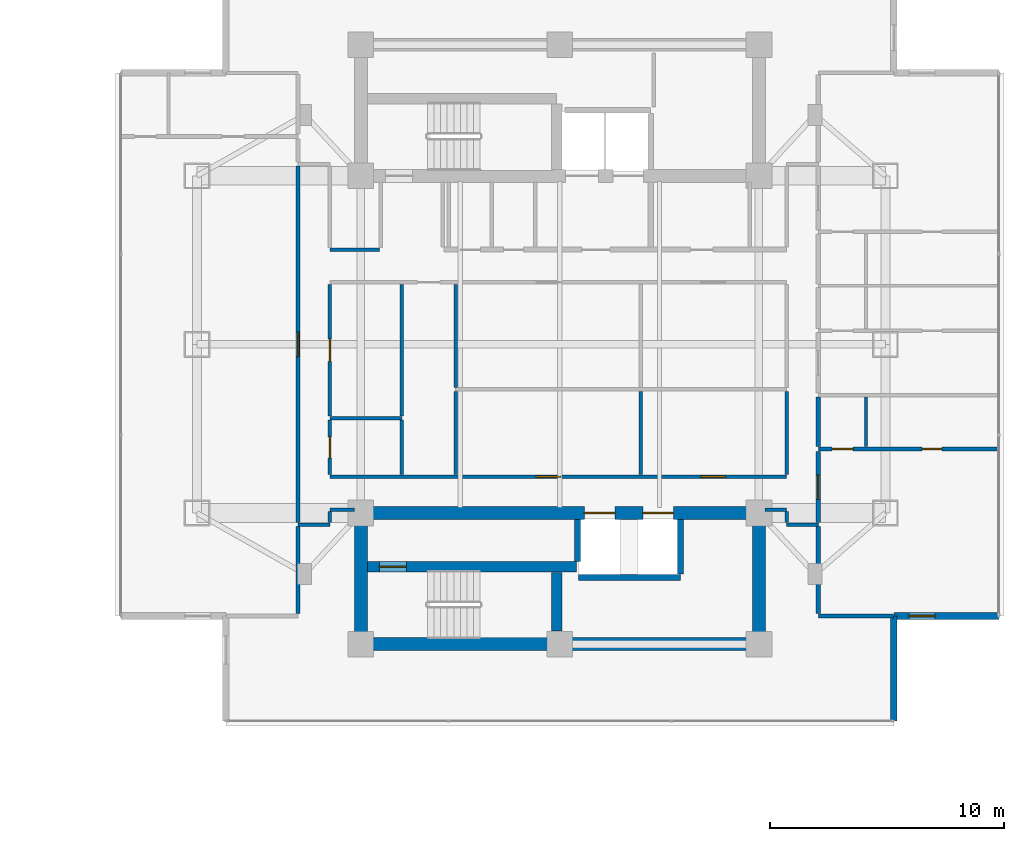
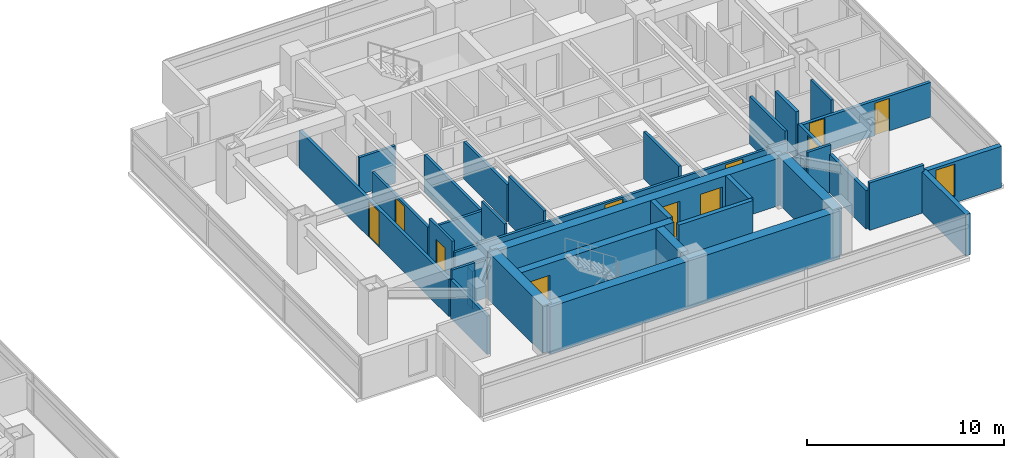
# One storey, part 17 of 24: 36 walls, 11 doors, 1 window, 12 openings.
"""IFC4 building model written with IfcOpenShell, lengths in metres."""

from ifc_helpers import new_model, si_unit, direction, frame, frame_2d, origin, place, context, subcontext, project, spatial, rectangle, extrude, material, layer, layer_set, type_object, element, fill, save


model = new_model("IFC4")

# Units and contexts
model_context = context("Model", 3, precision=1e-05, world=origin(), true_north=direction((0.0, 1.0)))
body_context = subcontext(model_context, "Body", "Model", "MODEL_VIEW")
ifc_project = project(units=[si_unit("LENGTHUNIT", "METRE"), si_unit("AREAUNIT", "SQUARE_METRE"), si_unit("VOLUMEUNIT", "CUBIC_METRE"), si_unit("PLANEANGLEUNIT", "RADIAN"), si_unit("MASSUNIT", "GRAM", prefix="KILO")], contexts=[model_context])

# Site, building, storey
site_placement = place(None, origin())
site = spatial("IfcSite", under=ifc_project, at=site_placement, CompositionType="ELEMENT")
building_placement = place(site_placement, origin())
building = spatial("IfcBuilding", under=site, at=building_placement, Name="Mirazonda Arch Towers", CompositionType="ELEMENT")
storey_placement = place(building_placement, frame((0.0, 0.0, 144.5)))
storey = spatial("IfcBuildingStorey", under=building, at=storey_placement, Name="L41", CompositionType="ELEMENT", Elevation=144.5)

# Wall, opening, door
ifc_material_1 = material(Name="Concrete C50/60", Category="concrete")
ifc_layer_1 = layer(ifc_material_1, 0.449951171875, Name="WALL-CORE-450")
ifc_layer_set_1 = layer_set([ifc_layer_1], Name="Concrete C50/60")
wall_type_1 = type_object("IfcWallType", Name="WALL-CORE-450", PredefinedType="SHEAR", material=ifc_layer_set_1)
wall_1_placement = place(storey_placement, frame((68.27001953125, 18.5, 0.0), z_axis=(0.0, 0.0, 1.0), x_axis=(1.0, 0.0, 0.0)))
wall_1 = element("IfcWall", 1, at=wall_1_placement, inside=storey, type_object=wall_type_1, Name="L41 Stair Core Shear Wall 014", PredefinedType="SHEAR", context=body_context, shape_type="SweptSolid", body=[
    extrude(rectangle(XDim=8.949951171875, YDim=0.449951171875, at=frame_2d((4.47509765625, 0.0))), origin(), (0.0, 0.0, 1.0), 2.93994140625),
])
opening_1_placement = place(wall_1_placement, frame((0.52001953125, 0.0, 0.0)))
opening_1 = element("IfcOpeningElement", 2, at=opening_1_placement, cuts=wall_1, Name="Opening DR-135", PredefinedType="OPENING", context=body_context, shape_type="SweptSolid", body=[
    extrude(rectangle(XDim=1.14990234375, YDim=2.199951171875, at=frame_2d((0.574951171875, 1.10009765625))), frame((0.0, 0.23486328125, 0.0), z_axis=(0.0, -1.0, 0.0), x_axis=(1.0, 0.0, 0.0)), (0.0, 0.0, 1.0), 0.469970703125),
])
ifc_material_2 = material(Name="Architectural Brushed Steel S355", Category="steel")
door_type_1 = type_object("IfcDoorType", Name="DOOR-STAIR-FD90-1150", OperationType="NOTDEFINED", PredefinedType="DOOR", material=ifc_material_2)
door_1_placement = place(opening_1_placement, origin())
door_1 = element("IfcDoor", 3, at=door_1_placement, inside=storey, type_object=door_type_1, Name="L41 East Protected Stair South Door", OperationType="SINGLE_SWING_RIGHT", OverallHeight=2.199951171875, OverallWidth=1.14990234375, PredefinedType="DOOR", context=body_context, shape_type="SweptSolid", body=[
    extrude(rectangle(XDim=1.14990234375, YDim=2.199951171875, at=frame_2d((0.574951171875, 1.10009765625))), frame((0.0, 0.02490234375, 0.0), z_axis=(0.0, -1.0, 0.0), x_axis=(1.0, 0.0, 0.0)), (0.0, 0.0, 1.0), 0.050048828125),
])
fill(opening_1, door_1)

# Walls
wall_2_placement = place(storey_placement, frame((76.360107421875, 15.764892578125, 0.0), z_axis=(0.0, 0.0, 1.0), x_axis=(0.0, 1.0, 0.0)))
element("IfcWall", 4, at=wall_2_placement, inside=storey, type_object=wall_type_1, Name="L41 Stair Core Shear Wall 141", PredefinedType="SHEAR", context=body_context, shape_type="SweptSolid", body=[
    extrude(rectangle(XDim=2.5, YDim=0.449951171875, at=frame_2d((1.25, 0.0))), origin(), (0.0, 0.0, 1.0), 2.93994140625),
])
ifc_layer_2 = layer(ifc_material_1, 0.550048828125, Name="WALL-CORE-550")
ifc_layer_set_2 = layer_set([ifc_layer_2], Name="Concrete C50/60")
wall_type_2 = type_object("IfcWallType", Name="WALL-CORE-550", PredefinedType="SHEAR", material=ifc_layer_set_2)
wall_3_placement = place(storey_placement, frame((68.0, 15.199951171875, 0.0), z_axis=(0.0, 0.0, 1.0), x_axis=(1.0, 0.0, 0.0)))
element("IfcWall", 5, at=wall_3_placement, inside=storey, type_object=wall_type_2, Name="L41 T2S-S Core Shear Wall", PredefinedType="SHEAR", context=body_context, shape_type="SweptSolid", body=[
    extrude(rectangle(XDim=17.0, YDim=0.550048828125, at=frame_2d((8.5, 0.0))), origin(), (0.0, 0.0, 1.0), 2.93994140625),
])
for number, where, z_axis, x_axis, name in (
    (6, (68.0, 15.199951171875, 0.0), (0.0, 0.0, 1.0), (0.0, 1.0, 0.0), "L41 T2S-W Core Shear Wall"),
    (7, (85.0, 15.199951171875, 0.0), (0.0, 0.0, 1.0), (0.0, 1.0, 0.0), "L41 T2S-E Core Shear Wall"),
):
    element("IfcWall", number, at=place(storey_placement, frame(where, z_axis=z_axis, x_axis=x_axis)), inside=storey, type_object=wall_type_2, Name=name, PredefinedType="SHEAR", context=body_context, shape_type="SweptSolid", body=[
        extrude(rectangle(XDim=5.60009765625, YDim=0.550048828125, at=frame_2d((2.800048828125, 0.0))), origin(), (0.0, 0.0, 1.0), 2.93994140625),
    ])

# Wall, openings, doors
wall_4_placement = place(storey_placement, frame((68.0, 20.800048828125, 0.0), z_axis=(0.0, 0.0, 1.0), x_axis=(1.0, 0.0, 0.0)))
wall_4 = element("IfcWall", 8, at=wall_4_placement, inside=storey, type_object=wall_type_2, Name="L41 T2S-N Core Shear Wall", PredefinedType="SHEAR", context=body_context, shape_type="SweptSolid", body=[
    extrude(rectangle(XDim=17.0, YDim=0.550048828125, at=frame_2d((8.5, 0.0))), origin(), (0.0, 0.0, 1.0), 2.93994140625),
])
opening_2_placement = place(wall_4_placement, frame((9.550048828125, 0.0, 0.0)))
opening_2 = element("IfcOpeningElement", 9, at=opening_2_placement, cuts=wall_4, Name="Opening LD-111", PredefinedType="OPENING", context=body_context, shape_type="SweptSolid", body=[
    extrude(rectangle(XDim=1.300048828125, YDim=2.300048828125, at=frame_2d((0.64990234375, 1.14990234375))), frame((0.0, 0.284912109375, 0.0), z_axis=(0.0, -1.0, 0.0), x_axis=(1.0, 0.0, 0.0)), (0.0, 0.0, 1.0), 0.570068359375),
])
opening_3_placement = place(wall_4_placement, frame((12.050048828125, 0.0, 0.0)))
opening_3 = element("IfcOpeningElement", 10, at=opening_3_placement, cuts=wall_4, Name="Opening LD-111", PredefinedType="OPENING", context=body_context, shape_type="SweptSolid", body=[
    extrude(rectangle(XDim=1.300048828125, YDim=2.300048828125, at=frame_2d((0.64990234375, 1.14990234375))), frame((0.0, 0.284912109375, 0.0), z_axis=(0.0, -1.0, 0.0), x_axis=(1.0, 0.0, 0.0)), (0.0, 0.0, 1.0), 0.570068359375),
])
door_type_2 = type_object("IfcDoorType", Name="DOOR-LIFT-LAND-1300", OperationType="NOTDEFINED", PredefinedType="DOOR", material=ifc_material_2)
door_2_placement = place(opening_2_placement, origin())
door_2 = element("IfcDoor", 11, at=door_2_placement, inside=storey, type_object=door_type_2, Name="L41 Lift Landing Sliding Door PL-T2H1", OperationType="DOUBLE_DOOR_SLIDING", OverallHeight=2.300048828125, OverallWidth=1.300048828125, PredefinedType="DOOR", context=body_context, shape_type="SweptSolid", body=[
    extrude(rectangle(XDim=1.300048828125, YDim=2.300048828125, at=frame_2d((0.64990234375, 1.14990234375))), frame((0.0, 0.02490234375, 0.0), z_axis=(0.0, -1.0, 0.0), x_axis=(1.0, 0.0, 0.0)), (0.0, 0.0, 1.0), 0.050048828125),
])
fill(opening_2, door_2)
door_3_placement = place(opening_3_placement, origin())
door_3 = element("IfcDoor", 12, at=door_3_placement, inside=storey, type_object=door_type_2, Name="L41 Lift Landing Sliding Door PL-T2H2", OperationType="DOUBLE_DOOR_SLIDING", OverallHeight=2.300048828125, OverallWidth=1.300048828125, PredefinedType="DOOR", context=body_context, shape_type="SweptSolid", body=[
    extrude(rectangle(XDim=1.300048828125, YDim=2.300048828125, at=frame_2d((0.64990234375, 1.14990234375))), frame((0.0, 0.02490234375, 0.0), z_axis=(0.0, -1.0, 0.0), x_axis=(1.0, 0.0, 0.0)), (0.0, 0.0, 1.0), 0.050048828125),
])
fill(opening_3, door_3)

# Wall, opening, window
ifc_material_3 = material(Name="Precast Concrete C40/50", Category="concrete")
ifc_layer_3 = layer(ifc_material_3, 0.280029296875, Name="WALL-EXT-WALL-280")
ifc_layer_set_3 = layer_set([ifc_layer_3], Name="Precast Concrete C40/50")
wall_type_3 = type_object("IfcWallType", Name="WALL-EXT-WALL-280", PredefinedType="SOLIDWALL", material=ifc_layer_set_3)
wall_5_placement = place(storey_placement, frame((90.762451171875, 16.401123046875, 0.0), z_axis=(0.0, 0.0, 1.0), x_axis=(1.0, 0.0, 0.0)))
wall_5 = element("IfcWall", 13, at=wall_5_placement, inside=storey, type_object=wall_type_3, Name="L41 T2 Corner Notch Return Wall WL-L41-T2-CSE1", PredefinedType="SOLIDWALL", context=body_context, shape_type="SweptSolid", body=[
    extrude(rectangle(XDim=4.486572265625, YDim=0.280029296875, at=frame_2d((2.2431640625, 0.0))), origin(), (0.0, 0.0, 1.0), 2.56005859375),
])
opening_4_placement = place(wall_5_placement, frame((0.64990234375, 0.0, 0.409912109375)))
opening_4 = element("IfcOpeningElement", 14, at=opening_4_placement, cuts=wall_5, Name="Opening WN-108", PredefinedType="OPENING", context=body_context, shape_type="SweptSolid", body=[
    extrude(rectangle(XDim=1.10009765625, YDim=2.0, at=frame_2d((0.550048828125, 1.0))), frame((0.0, 0.14990234375, 0.0), z_axis=(0.0, -1.0, 0.0), x_axis=(1.0, 0.0, 0.0)), (0.0, 0.0, 1.0), 0.300048828125),
])
ifc_material_4 = material(Name="Insulated Low-E Solar Glass", Category="glass")
window_type = type_object("IfcWindowType", Name="WIN-NOTCH-1100x2000", PartitioningType="SINGLE_PANEL", PredefinedType="WINDOW", material=ifc_material_4)
window_placement = place(opening_4_placement, origin())
window = element("IfcWindow", 15, at=window_placement, inside=storey, type_object=window_type, Name="L41 Punched Facade Window WN-L41-T2-CSE1", OverallHeight=2.0, OverallWidth=1.10009765625, PartitioningType="SINGLE_PANEL", PredefinedType="WINDOW", context=body_context, shape_type="SweptSolid", body=[
    extrude(rectangle(XDim=1.10009765625, YDim=2.0, at=frame_2d((0.550048828125, 1.0))), frame((0.0, 0.030029296875, 0.0), z_axis=(0.0, -1.0, 0.0), x_axis=(1.0, 0.0, 0.0)), (0.0, 0.0, 1.0), 0.06005859375),
])
fill(opening_4, window)

# Walls
wall_6_placement = place(storey_placement, frame((90.762451171875, 11.91455078125, 0.0), z_axis=(0.0, 0.0, 1.0), x_axis=(0.0, 1.0, 0.0)))
element("IfcWall", 16, at=wall_6_placement, inside=storey, type_object=wall_type_3, Name="L41 T2 Corner Notch Return Wall WL-L41-T2-CSE2", PredefinedType="SOLIDWALL", context=body_context, shape_type="SweptSolid", body=[
    extrude(rectangle(XDim=4.486572265625, YDim=0.280029296875, at=frame_2d((2.2431640625, 0.0))), origin(), (0.0, 0.0, 1.0), 2.56005859375),
])
ifc_material_5 = material(Name="Fire-Rated Gypsum Stud Partition")
ifc_layer_4 = layer(ifc_material_5, 0.14990234375, Name="WALL-PART-CORR-150")
ifc_layer_set_4 = layer_set([ifc_layer_4], Name="Fire-Rated Gypsum Stud Partition")
wall_type_4 = type_object("IfcWallType", Name="WALL-PART-CORR-150", PredefinedType="PARTITIONING", material=ifc_layer_set_4)
wall_7_placement = place(storey_placement, frame((65.320068359375, 20.300048828125, 0.0), z_axis=(0.0, 0.0, 1.0), x_axis=(1.0, 0.0, 0.0)))
element("IfcWall", 17, at=wall_7_placement, inside=storey, type_object=wall_type_4, Name="L41 Interior Partition 018", PredefinedType="PARTITIONING", context=body_context, shape_type="SweptSolid", body=[
    extrude(rectangle(XDim=1.35986328125, YDim=0.14990234375, at=frame_2d((0.679931640625, 0.0))), origin(), (0.0, 0.0, 1.0), 2.93994140625),
])
wall_8_placement = place(storey_placement, frame((86.179931640625, 20.300048828125, 0.0), z_axis=(0.0, 0.0, 1.0), x_axis=(1.0, 0.0, 0.0)))
element("IfcWall", 18, at=wall_8_placement, inside=storey, type_object=wall_type_4, Name="L41 Interior Partition 019", PredefinedType="PARTITIONING", context=body_context, shape_type="SweptSolid", body=[
    extrude(rectangle(XDim=1.360107421875, YDim=0.14990234375, at=frame_2d((0.68017578125, 0.0))), origin(), (0.0, 0.0, 1.0), 2.93994140625),
])
wall_9_placement = place(storey_placement, frame((66.679931640625, 20.949951171875, 0.0), z_axis=(0.0, 0.0, 1.0), x_axis=(1.0, 0.0, 0.0)))
element("IfcWall", 19, at=wall_9_placement, inside=storey, type_object=wall_type_4, Name="L41 Interior Partition 020", PredefinedType="PARTITIONING", context=body_context, shape_type="SweptSolid", body=[
    extrude(rectangle(XDim=1.050048828125, YDim=0.14990234375, at=frame_2d((0.52490234375, 0.0))), origin(), (0.0, 0.0, 1.0), 2.33203125),
])
wall_10_placement = place(storey_placement, frame((85.27001953125, 20.949951171875, 0.0), z_axis=(0.0, 0.0, 1.0), x_axis=(1.0, 0.0, 0.0)))
element("IfcWall", 20, at=wall_10_placement, inside=storey, type_object=wall_type_4, Name="L41 Interior Partition 021", PredefinedType="PARTITIONING", context=body_context, shape_type="SweptSolid", body=[
    extrude(rectangle(XDim=0.909912109375, YDim=0.14990234375, at=frame_2d((0.455078125, 0.0))), origin(), (0.0, 0.0, 1.0), 2.33203125),
])

# Wall, openings, doors
wall_11_placement = place(storey_placement, frame((66.679931640625, 22.35009765625, 0.0), z_axis=(0.0, 0.0, 1.0), x_axis=(1.0, 0.0, 0.0)))
wall_11 = element("IfcWall", 21, at=wall_11_placement, inside=storey, type_object=wall_type_4, Name="L41 Interior Partition 023", PredefinedType="PARTITIONING", context=body_context, shape_type="SweptSolid", body=[
    extrude(rectangle(XDim=19.5, YDim=0.14990234375, at=frame_2d((9.75, 0.0))), origin(), (0.0, 0.0, 1.0), 2.31591796875),
])
opening_5_placement = place(wall_11_placement, frame((8.801513671875, 0.0, 0.0)))
opening_5 = element("IfcOpeningElement", 22, at=opening_5_placement, cuts=wall_11, Name="Opening DR-121", PredefinedType="OPENING", context=body_context, shape_type="SweptSolid", body=[
    extrude(rectangle(XDim=1.050048828125, YDim=2.199951171875, at=frame_2d((0.52490234375, 1.10009765625))), frame((0.0, 0.0849609375, 0.0), z_axis=(0.0, -1.0, 0.0), x_axis=(1.0, 0.0, 0.0)), (0.0, 0.0, 1.0), 0.169921875),
])
opening_6_placement = place(wall_11_placement, frame((15.846435546875, 0.0, 0.0)))
opening_6 = element("IfcOpeningElement", 23, at=opening_6_placement, cuts=wall_11, Name="Opening DR-121", PredefinedType="OPENING", context=body_context, shape_type="SweptSolid", body=[
    extrude(rectangle(XDim=1.050048828125, YDim=2.199951171875, at=frame_2d((0.52490234375, 1.10009765625))), frame((0.0, 0.0849609375, 0.0), z_axis=(0.0, -1.0, 0.0), x_axis=(1.0, 0.0, 0.0)), (0.0, 0.0, 1.0), 0.169921875),
])
door_type_3 = type_object("IfcDoorType", Name="DOOR-SUITE-FD60-1050", OperationType="NOTDEFINED", PredefinedType="DOOR", material=ifc_material_2)
door_4_placement = place(opening_5_placement, origin())
door_4 = element("IfcDoor", 24, at=door_4_placement, inside=storey, type_object=door_type_3, Name="L41 Executive Club Lounge Door", OperationType="SINGLE_SWING_RIGHT", OverallHeight=2.199951171875, OverallWidth=1.050048828125, PredefinedType="DOOR", context=body_context, shape_type="SweptSolid", body=[
    extrude(rectangle(XDim=1.050048828125, YDim=2.199951171875, at=frame_2d((0.52490234375, 1.10009765625))), frame((0.0, 0.02490234375, 0.0), z_axis=(0.0, -1.0, 0.0), x_axis=(1.0, 0.0, 0.0)), (0.0, 0.0, 1.0), 0.050048828125),
])
fill(opening_5, door_4)
door_5_placement = place(opening_6_placement, origin())
door_5 = element("IfcDoor", 25, at=door_5_placement, inside=storey, type_object=door_type_3, Name="L41 Business Reading Study Door", OperationType="SINGLE_SWING_LEFT", OverallHeight=2.199951171875, OverallWidth=1.050048828125, PredefinedType="DOOR", context=body_context, shape_type="SweptSolid", body=[
    extrude(rectangle(XDim=1.050048828125, YDim=2.199951171875, at=frame_2d((0.52490234375, 1.10009765625))), frame((0.0, 0.02490234375, 0.0), z_axis=(0.0, -1.0, 0.0), x_axis=(1.0, 0.0, 0.0)), (0.0, 0.0, 1.0), 0.050048828125),
])
fill(opening_6, door_5)

# Walls
wall_12_placement = place(storey_placement, frame((66.679931640625, 24.85009765625, 0.0), z_axis=(0.0, 0.0, 1.0), x_axis=(1.0, 0.0, 0.0)))
element("IfcWall", 26, at=wall_12_placement, inside=storey, type_object=wall_type_4, Name="L41 Interior Partition 028", PredefinedType="PARTITIONING", context=body_context, shape_type="SweptSolid", body=[
    extrude(rectangle(XDim=3.070068359375, YDim=0.14990234375, at=frame_2d((1.53515625, 0.0))), origin(), (0.0, 0.0, 1.0), 2.31591796875),
])
wall_13_placement = place(storey_placement, frame((66.679931640625, 32.050048828125, 0.0), z_axis=(0.0, 0.0, 1.0), x_axis=(1.0, 0.0, 0.0)))
element("IfcWall", 27, at=wall_13_placement, inside=storey, type_object=wall_type_4, Name="L41 Interior Partition 042", PredefinedType="PARTITIONING", context=body_context, shape_type="SweptSolid", body=[
    extrude(rectangle(XDim=2.1201171875, YDim=0.14990234375, at=frame_2d((1.06005859375, 0.0))), origin(), (0.0, 0.0, 1.0), 2.31591796875),
])
wall_14_placement = place(storey_placement, frame((66.679931640625, 20.385009765625, 0.0), z_axis=(0.0, 0.0, 1.0), x_axis=(0.0, 1.0, 0.0)))
element("IfcWall", 28, at=wall_14_placement, inside=storey, type_object=wall_type_4, Name="L41 Interior Partition 128", PredefinedType="PARTITIONING", context=body_context, shape_type="SweptSolid", body=[
    extrude(rectangle(XDim=0.47998046875, YDim=0.14990234375, at=frame_2d((0.239990234375, 0.0))), origin(), (0.0, 0.0, 1.0), 2.33203125),
])

# Wall, opening, door
wall_15_placement = place(storey_placement, frame((66.679931640625, 22.43505859375, 0.0), z_axis=(0.0, 0.0, 1.0), x_axis=(0.0, 1.0, 0.0)))
wall_15 = element("IfcWall", 29, at=wall_15_placement, inside=storey, type_object=wall_type_4, Name="L41 Interior Partition 129", PredefinedType="PARTITIONING", context=body_context, shape_type="SweptSolid", body=[
    extrude(rectangle(XDim=2.329833984375, YDim=0.14990234375, at=frame_2d((1.1650390625, 0.0))), origin(), (0.0, 0.0, 1.0), 2.93994140625),
])
opening_7_placement = place(wall_15_placement, frame((0.715087890625, 0.0, 0.0)))
opening_7 = element("IfcOpeningElement", 30, at=opening_7_placement, cuts=wall_15, Name="Opening DR-120", PredefinedType="OPENING", context=body_context, shape_type="SweptSolid", body=[
    extrude(rectangle(XDim=0.89990234375, YDim=2.10009765625, at=frame_2d((0.449951171875, 1.050048828125))), frame((0.0, 0.0849609375, 0.0), z_axis=(0.0, -1.0, 0.0), x_axis=(1.0, 0.0, 0.0)), (0.0, 0.0, 1.0), 0.169921875),
])
door_type_4 = type_object("IfcDoorType", Name="DOOR-WC-900", OperationType="NOTDEFINED", PredefinedType="DOOR", material=ifc_material_2)
door_6_placement = place(opening_7_placement, origin())
door_6 = element("IfcDoor", 31, at=door_6_placement, inside=storey, type_object=door_type_4, Name="L41 Tower 2 Common Accessible WC Door", OperationType="SINGLE_SWING_LEFT", OverallHeight=2.10009765625, OverallWidth=0.89990234375, PredefinedType="DOOR", context=body_context, shape_type="SweptSolid", body=[
    extrude(rectangle(XDim=0.89990234375, YDim=2.10009765625, at=frame_2d((0.449951171875, 1.050048828125))), frame((0.0, 0.02490234375, 0.0), z_axis=(0.0, -1.0, 0.0), x_axis=(1.0, 0.0, 0.0)), (0.0, 0.0, 1.0), 0.050048828125),
])
fill(opening_7, door_6)

wall_16_placement = place(storey_placement, frame((66.679931640625, 24.93505859375, 0.0), z_axis=(0.0, 0.0, 1.0), x_axis=(0.0, 1.0, 0.0)))
wall_16 = element("IfcWall", 32, at=wall_16_placement, inside=storey, type_object=wall_type_4, Name="L41 Interior Partition 130", PredefinedType="PARTITIONING", context=body_context, shape_type="SweptSolid", body=[
    extrude(rectangle(XDim=5.6298828125, YDim=0.14990234375, at=frame_2d((2.81494140625, 0.0))), origin(), (0.0, 0.0, 1.0), 2.31591796875),
])
opening_8_placement = place(wall_16_placement, frame((2.340087890625, 0.0, 0.0)))
opening_8 = element("IfcOpeningElement", 33, at=opening_8_placement, cuts=wall_16, Name="Opening DR-104", PredefinedType="OPENING", context=body_context, shape_type="SweptSolid", body=[
    extrude(rectangle(XDim=0.949951171875, YDim=2.14990234375, at=frame_2d((0.47509765625, 1.074951171875))), frame((0.0, 0.0849609375, 0.0), z_axis=(0.0, -1.0, 0.0), x_axis=(1.0, 0.0, 0.0)), (0.0, 0.0, 1.0), 0.169921875),
])
door_type_5 = type_object("IfcDoorType", Name="DOOR-ROOM-950", OperationType="NOTDEFINED", PredefinedType="DOOR", material=ifc_material_2)
door_7_placement = place(opening_8_placement, origin())
door_7 = element("IfcDoor", 34, at=door_7_placement, inside=storey, type_object=door_type_5, Name="L41 L41 East Courtyard Reading Study Door", OperationType="SINGLE_SWING_RIGHT", OverallHeight=2.14990234375, OverallWidth=0.949951171875, PredefinedType="DOOR", context=body_context, shape_type="SweptSolid", body=[
    extrude(rectangle(XDim=0.949951171875, YDim=2.14990234375, at=frame_2d((0.47509765625, 1.074951171875))), frame((0.0, 0.02490234375, 0.0), z_axis=(0.0, -1.0, 0.0), x_axis=(1.0, 0.0, 0.0)), (0.0, 0.0, 1.0), 0.050048828125),
])
fill(opening_8, door_7)

# Walls
wall_17_placement = place(storey_placement, frame((69.743408203125, 22.43505859375, 0.0), z_axis=(0.0, 0.0, 1.0), x_axis=(0.0, 1.0, 0.0)))
element("IfcWall", 35, at=wall_17_placement, inside=storey, type_object=wall_type_4, Name="L41 Interior Partition 133", PredefinedType="PARTITIONING", context=body_context, shape_type="SweptSolid", body=[
    extrude(rectangle(XDim=2.329833984375, YDim=0.14990234375, at=frame_2d((1.1650390625, 0.0))), origin(), (0.0, 0.0, 1.0), 2.93994140625),
])
wall_18_placement = place(storey_placement, frame((69.743408203125, 24.93505859375, 0.0), z_axis=(0.0, 0.0, 1.0), x_axis=(0.0, 1.0, 0.0)))
element("IfcWall", 36, at=wall_18_placement, inside=storey, type_object=wall_type_4, Name="L41 Interior Partition 134", PredefinedType="PARTITIONING", context=body_context, shape_type="SweptSolid", body=[
    extrude(rectangle(XDim=5.6298828125, YDim=0.14990234375, at=frame_2d((2.81494140625, 0.0))), origin(), (0.0, 0.0, 1.0), 2.31591796875),
])
wall_19_placement = place(storey_placement, frame((72.050048828125, 22.43505859375, 0.0), z_axis=(0.0, 0.0, 1.0), x_axis=(0.0, 1.0, 0.0)))
element("IfcWall", 37, at=wall_19_placement, inside=storey, type_object=wall_type_4, Name="L41 Interior Partition 137", PredefinedType="PARTITIONING", context=body_context, shape_type="SweptSolid", body=[
    extrude(rectangle(XDim=3.56494140625, YDim=0.14990234375, at=frame_2d((1.782470703125, 0.0))), origin(), (0.0, 0.0, 1.0), 2.93994140625),
])
wall_20_placement = place(storey_placement, frame((72.050048828125, 26.169921875, 0.0), z_axis=(0.0, 0.0, 1.0), x_axis=(0.0, 1.0, 0.0)))
element("IfcWall", 38, at=wall_20_placement, inside=storey, type_object=wall_type_4, Name="L41 Interior Partition 138", PredefinedType="PARTITIONING", context=body_context, shape_type="SweptSolid", body=[
    extrude(rectangle(XDim=4.39501953125, YDim=0.14990234375, at=frame_2d((2.197509765625, 0.0))), origin(), (0.0, 0.0, 1.0), 2.31591796875),
])
wall_21_placement = place(storey_placement, frame((79.962890625, 22.43505859375, 0.0), z_axis=(0.0, 0.0, 1.0), x_axis=(0.0, 1.0, 0.0)))
element("IfcWall", 39, at=wall_21_placement, inside=storey, type_object=wall_type_4, Name="L41 Interior Partition 144", PredefinedType="PARTITIONING", context=body_context, shape_type="SweptSolid", body=[
    extrude(rectangle(XDim=3.56494140625, YDim=0.14990234375, at=frame_2d((1.782470703125, 0.0))), origin(), (0.0, 0.0, 1.0), 2.93994140625),
])
wall_22_placement = place(storey_placement, frame((86.179931640625, 20.385009765625, 0.0), z_axis=(0.0, 0.0, 1.0), x_axis=(0.0, 1.0, 0.0)))
element("IfcWall", 40, at=wall_22_placement, inside=storey, type_object=wall_type_4, Name="L41 Interior Partition 151", PredefinedType="PARTITIONING", context=body_context, shape_type="SweptSolid", body=[
    extrude(rectangle(XDim=0.47998046875, YDim=0.14990234375, at=frame_2d((0.239990234375, 0.0))), origin(), (0.0, 0.0, 1.0), 2.33203125),
])
wall_23_placement = place(storey_placement, frame((86.179931640625, 22.43505859375, 0.0), z_axis=(0.0, 0.0, 1.0), x_axis=(0.0, 1.0, 0.0)))
element("IfcWall", 41, at=wall_23_placement, inside=storey, type_object=wall_type_4, Name="L41 Interior Partition 152", PredefinedType="PARTITIONING", context=body_context, shape_type="SweptSolid", body=[
    extrude(rectangle(XDim=3.56494140625, YDim=0.14990234375, at=frame_2d((1.782470703125, 0.0))), origin(), (0.0, 0.0, 1.0), 2.93994140625),
])
ifc_material_6 = material(Name="Fire-Rated Gypsum Twin-Stud Assembly")
ifc_layer_5 = layer(ifc_material_6, 0.179931640625, Name="WALL-PART-DEMISE-180")
ifc_layer_set_5 = layer_set([ifc_layer_5], Name="Fire-Rated Gypsum Twin-Stud Assembly")
wall_type_5 = type_object("IfcWallType", Name="WALL-PART-DEMISE-180", PredefinedType="PARTITIONING", material=ifc_layer_set_5)
wall_24_placement = place(storey_placement, frame((87.5400390625, 16.40087890625, 0.0), z_axis=(0.0, 0.0, 1.0), x_axis=(1.0, 0.0, 0.0)))
element("IfcWall", 42, at=wall_24_placement, inside=storey, type_object=wall_type_5, Name="L41 Interior Partition 010", PredefinedType="PARTITIONING", context=body_context, shape_type="SweptSolid", body=[
    extrude(rectangle(XDim=3.202392578125, YDim=0.179931640625, at=frame_2d((1.60107421875, 0.0))), origin(), (0.0, 0.0, 1.0), 2.93994140625),
])

# Wall, openings, doors
wall_25_placement = place(storey_placement, frame((87.5400390625, 23.533935546875, 0.0), z_axis=(0.0, 0.0, 1.0), x_axis=(1.0, 0.0, 0.0)))
wall_25 = element("IfcWall", 43, at=wall_25_placement, inside=storey, type_object=wall_type_5, Name="L41 Interior Partition 025", PredefinedType="PARTITIONING", context=body_context, shape_type="SweptSolid", body=[
    extrude(rectangle(XDim=7.708984375, YDim=0.179931640625, at=frame_2d((3.8544921875, 0.0))), origin(), (0.0, 0.0, 1.0), 2.158935546875),
])
opening_9_placement = place(wall_25_placement, frame((4.429443359375, 0.0, 0.0)))
opening_9 = element("IfcOpeningElement", 44, at=opening_9_placement, cuts=wall_25, Name="Opening DR-128", PredefinedType="OPENING", context=body_context, shape_type="SweptSolid", body=[
    extrude(rectangle(XDim=0.85009765625, YDim=2.010009765625, at=frame_2d((0.425048828125, 1.0048828125))), frame((0.0, 0.099853515625, 0.0), z_axis=(0.0, -1.0, 0.0), x_axis=(1.0, 0.0, 0.0)), (0.0, 0.0, 1.0), 0.199951171875),
])
opening_10_placement = place(wall_25_placement, frame((0.590087890625, 0.0, 0.0)))
opening_10 = element("IfcOpeningElement", 45, at=opening_10_placement, cuts=wall_25, Name="Opening DR-120", PredefinedType="OPENING", context=body_context, shape_type="SweptSolid", body=[
    extrude(rectangle(XDim=0.89990234375, YDim=2.10009765625, at=frame_2d((0.449951171875, 1.050048828125))), frame((0.0, 0.099853515625, 0.0), z_axis=(0.0, -1.0, 0.0), x_axis=(1.0, 0.0, 0.0)), (0.0, 0.0, 1.0), 0.199951171875),
])
door_type_6 = type_object("IfcDoorType", Name="DOOR-RISER-FD60-850", OperationType="NOTDEFINED", PredefinedType="DOOR", material=ifc_material_2)
door_8_placement = place(opening_9_placement, origin())
door_8 = element("IfcDoor", 46, at=door_8_placement, inside=storey, type_object=door_type_6, Name="L41 Guestroom Study 1 Door", OperationType="SINGLE_SWING_RIGHT", OverallHeight=2.010009765625, OverallWidth=0.85009765625, PredefinedType="DOOR", context=body_context, shape_type="SweptSolid", body=[
    extrude(rectangle(XDim=0.85009765625, YDim=2.010009765625, at=frame_2d((0.425048828125, 1.0048828125))), frame((0.0, 0.02490234375, 0.0), z_axis=(0.0, -1.0, 0.0), x_axis=(1.0, 0.0, 0.0)), (0.0, 0.0, 1.0), 0.050048828125),
])
fill(opening_9, door_8)
door_9_placement = place(opening_10_placement, origin())
door_9 = element("IfcDoor", 47, at=door_9_placement, inside=storey, type_object=door_type_4, Name="L41 En-Suite Bathroom 1 Door", OperationType="SINGLE_SWING_LEFT", OverallHeight=2.10009765625, OverallWidth=0.89990234375, PredefinedType="DOOR", context=body_context, shape_type="SweptSolid", body=[
    extrude(rectangle(XDim=0.89990234375, YDim=2.10009765625, at=frame_2d((0.449951171875, 1.050048828125))), frame((0.0, 0.02490234375, 0.0), z_axis=(0.0, -1.0, 0.0), x_axis=(1.0, 0.0, 0.0)), (0.0, 0.0, 1.0), 0.050048828125),
])
fill(opening_10, door_9)

# Wall
wall_26_placement = place(storey_placement, frame((65.320068359375, 16.5009765625, 0.0), z_axis=(0.0, 0.0, 1.0), x_axis=(0.0, 1.0, 0.0)))
element("IfcWall", 48, at=wall_26_placement, inside=storey, type_object=wall_type_5, Name="L41 Interior Partition 124", PredefinedType="PARTITIONING", context=body_context, shape_type="SweptSolid", body=[
    extrude(rectangle(XDim=3.714111328125, YDim=0.179931640625, at=frame_2d((1.85693359375, 0.0))), origin(), (0.0, 0.0, 1.0), 2.383056640625),
])

# Wall, opening, door
wall_27_placement = place(storey_placement, frame((65.320068359375, 20.385009765625, 0.0), z_axis=(0.0, 0.0, 1.0), x_axis=(0.0, 1.0, 0.0)))
wall_27 = element("IfcWall", 49, at=wall_27_placement, inside=storey, type_object=wall_type_5, Name="L41 Interior Partition 125", PredefinedType="PARTITIONING", context=body_context, shape_type="SweptSolid", body=[
    extrude(rectangle(XDim=15.22998046875, YDim=0.179931640625, at=frame_2d((7.614990234375, 0.0))), origin(), (0.0, 0.0, 1.0), 2.31591796875),
])
opening_11_placement = place(wall_27_placement, frame((7.090087890625, 0.0, 0.0)))
opening_11 = element("IfcOpeningElement", 50, at=opening_11_placement, cuts=wall_27, Name="Opening DR-121", PredefinedType="OPENING", context=body_context, shape_type="SweptSolid", body=[
    extrude(rectangle(XDim=1.050048828125, YDim=2.199951171875, at=frame_2d((0.52490234375, 1.10009765625))), frame((0.0, 0.099853515625, 0.0), z_axis=(0.0, -1.0, 0.0), x_axis=(1.0, 0.0, 0.0)), (0.0, 0.0, 1.0), 0.199951171875),
])
door_10_placement = place(opening_11_placement, origin())
door_10 = element("IfcDoor", 51, at=door_10_placement, inside=storey, type_object=door_type_3, Name="L41 Presidential Hotel Suite 1 Door", OperationType="SINGLE_SWING_RIGHT", OverallHeight=2.199951171875, OverallWidth=1.050048828125, PredefinedType="DOOR", context=body_context, shape_type="SweptSolid", body=[
    extrude(rectangle(XDim=1.050048828125, YDim=2.199951171875, at=frame_2d((0.52490234375, 1.10009765625))), frame((0.0, 0.02490234375, 0.0), z_axis=(0.0, -1.0, 0.0), x_axis=(1.0, 0.0, 0.0)), (0.0, 0.0, 1.0), 0.050048828125),
])
fill(opening_11, door_10)

# Wall
wall_28_placement = place(storey_placement, frame((87.5400390625, 16.5009765625, 0.0), z_axis=(0.0, 0.0, 1.0), x_axis=(0.0, 1.0, 0.0)))
element("IfcWall", 52, at=wall_28_placement, inside=storey, type_object=wall_type_5, Name="L41 Interior Partition 155", PredefinedType="PARTITIONING", context=body_context, shape_type="SweptSolid", body=[
    extrude(rectangle(XDim=3.714111328125, YDim=0.179931640625, at=frame_2d((1.85693359375, 0.0))), origin(), (0.0, 0.0, 1.0), 2.383056640625),
])

# Wall, opening, door
wall_29_placement = place(storey_placement, frame((87.5400390625, 20.385009765625, 0.0), z_axis=(0.0, 0.0, 1.0), x_axis=(0.0, 1.0, 0.0)))
wall_29 = element("IfcWall", 53, at=wall_29_placement, inside=storey, type_object=wall_type_5, Name="L41 Interior Partition 156", PredefinedType="PARTITIONING", context=body_context, shape_type="SweptSolid", body=[
    extrude(rectangle(XDim=3.049072265625, YDim=0.179931640625, at=frame_2d((1.5244140625, 0.0))), origin(), (0.0, 0.0, 1.0), 2.33203125),
])
opening_12_placement = place(wall_29_placement, frame((0.99951171875, 0.0, 0.0)))
opening_12 = element("IfcOpeningElement", 54, at=opening_12_placement, cuts=wall_29, Name="Opening DR-121", PredefinedType="OPENING", context=body_context, shape_type="SweptSolid", body=[
    extrude(rectangle(XDim=1.050048828125, YDim=2.199951171875, at=frame_2d((0.52490234375, 1.10009765625))), frame((0.0, 0.099853515625, 0.0), z_axis=(0.0, -1.0, 0.0), x_axis=(1.0, 0.0, 0.0)), (0.0, 0.0, 1.0), 0.199951171875),
])
door_11_placement = place(opening_12_placement, origin())
door_11 = element("IfcDoor", 55, at=door_11_placement, inside=storey, type_object=door_type_3, Name="L41 King Hotel Guestroom 1 Door", OperationType="SINGLE_SWING_LEFT", OverallHeight=2.199951171875, OverallWidth=1.050048828125, PredefinedType="DOOR", context=body_context, shape_type="SweptSolid", body=[
    extrude(rectangle(XDim=1.050048828125, YDim=2.199951171875, at=frame_2d((0.52490234375, 1.10009765625))), frame((0.0, 0.02490234375, 0.0), z_axis=(0.0, -1.0, 0.0), x_axis=(1.0, 0.0, 0.0)), (0.0, 0.0, 1.0), 0.050048828125),
])
fill(opening_12, door_11)

# Walls
wall_30_placement = place(storey_placement, frame((87.5400390625, 23.634033203125, 0.0), z_axis=(0.0, 0.0, 1.0), x_axis=(0.0, 1.0, 0.0)))
element("IfcWall", 56, at=wall_30_placement, inside=storey, type_object=wall_type_5, Name="L41 Interior Partition 157", PredefinedType="PARTITIONING", context=body_context, shape_type="SweptSolid", body=[
    extrude(rectangle(XDim=2.114990234375, YDim=0.179931640625, at=frame_2d((1.0576171875, 0.0))), origin(), (0.0, 0.0, 1.0), 2.93994140625),
])
ifc_material_7 = material(Name="Acoustic Fire-Rated Gypsum Partition")
ifc_layer_6 = layer(ifc_material_7, 0.125, Name="WALL-PART-UNIT-125")
ifc_layer_set_6 = layer_set([ifc_layer_6], Name="Acoustic Fire-Rated Gypsum Partition")
wall_type_6 = type_object("IfcWallType", Name="WALL-PART-UNIT-125", PredefinedType="PARTITIONING", material=ifc_layer_set_6)
wall_31_placement = place(storey_placement, frame((89.580078125, 23.634033203125, 0.0), z_axis=(0.0, 0.0, 1.0), x_axis=(0.0, 1.0, 0.0)))
element("IfcWall", 57, at=wall_31_placement, inside=storey, type_object=wall_type_6, Name="L41 Interior Partition 163", PredefinedType="PARTITIONING", context=body_context, shape_type="SweptSolid", body=[
    extrude(rectangle(XDim=2.114990234375, YDim=0.125, at=frame_2d((1.0576171875, 0.0))), origin(), (0.0, 0.0, 1.0), 2.93994140625),
])
ifc_material_8 = material(Name="Concrete C40/50", Category="concrete")
ifc_layer_7 = layer(ifc_material_8, 0.25, Name="WALL-SHAFT-250")
ifc_layer_set_7 = layer_set([ifc_layer_7], Name="Concrete C40/50")
wall_type_7 = type_object("IfcWallType", Name="WALL-SHAFT-250", PredefinedType="SOLIDWALL", material=ifc_layer_set_7)
wall_32_placement = place(storey_placement, frame((77.300048828125, 18.050048828125, 0.0), z_axis=(0.0, 0.0, 1.0), x_axis=(1.0, 0.0, 0.0)))
element("IfcWall", 58, at=wall_32_placement, inside=storey, type_object=wall_type_7, Name="L41 Interior Partition 011", PredefinedType="SOLIDWALL", context=body_context, shape_type="SweptSolid", body=[
    extrude(rectangle(XDim=4.349853515625, YDim=0.25, at=frame_2d((2.1748046875, 0.0))), origin(), (0.0, 0.0, 1.0), 2.93994140625),
])
wall_33_placement = place(storey_placement, frame((77.260009765625, 18.735107421875, 0.0), z_axis=(0.0, 0.0, 1.0), x_axis=(0.0, 1.0, 0.0)))
element("IfcWall", 59, at=wall_33_placement, inside=storey, type_object=wall_type_7, Name="L41 Interior Partition 143", PredefinedType="SOLIDWALL", context=body_context, shape_type="SweptSolid", body=[
    extrude(rectangle(XDim=1.794921875, YDim=0.25, at=frame_2d((0.8974609375, 0.0))), origin(), (0.0, 0.0, 1.0), 2.93994140625),
])
wall_34_placement = place(storey_placement, frame((81.64990234375, 18.18505859375, 0.0), z_axis=(0.0, 0.0, 1.0), x_axis=(0.0, 1.0, 0.0)))
element("IfcWall", 60, at=wall_34_placement, inside=storey, type_object=wall_type_7, Name="L41 Interior Partition 149", PredefinedType="SOLIDWALL", context=body_context, shape_type="SweptSolid", body=[
    extrude(rectangle(XDim=2.344970703125, YDim=0.25, at=frame_2d((1.17236328125, 0.0))), origin(), (0.0, 0.0, 1.0), 2.93994140625),
])

save(model, "model.ifc")
